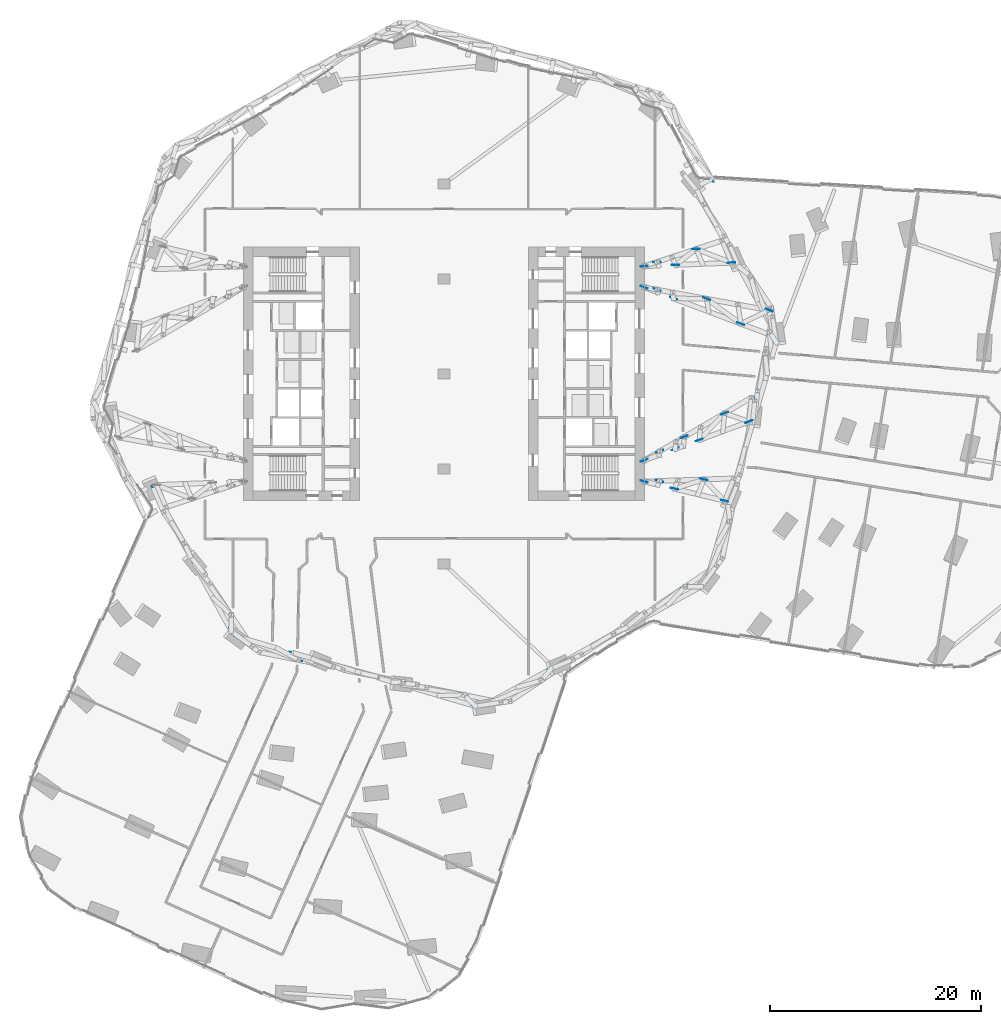
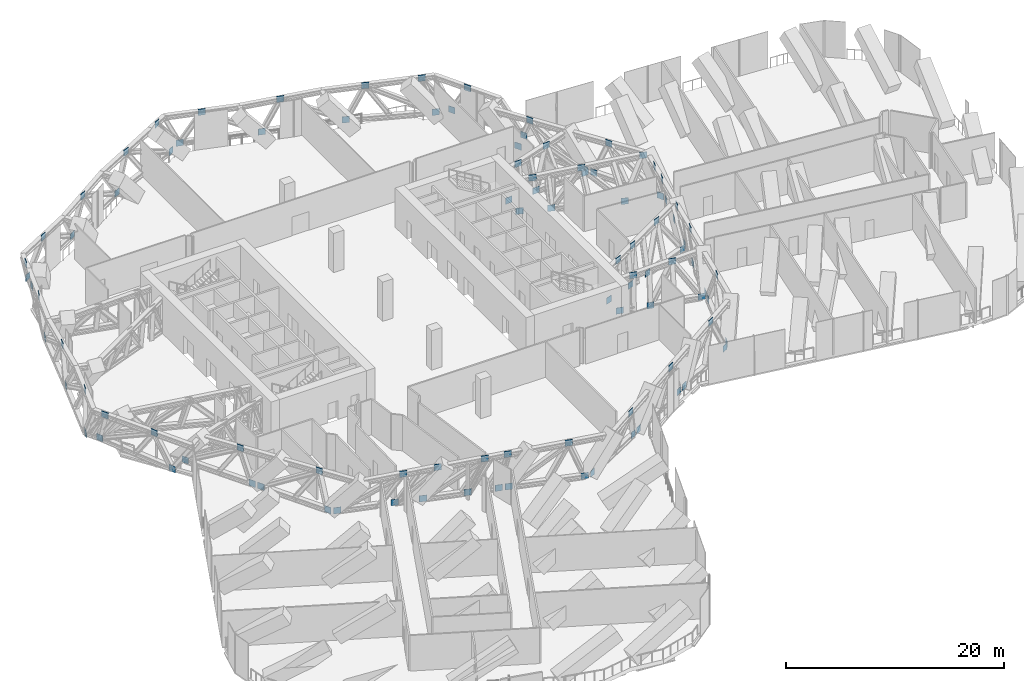
# One storey, part 34 of 39: 2 discrete accessories.
"""IFC4 building model written with IfcOpenShell, lengths in metres."""

from ifc_helpers import new_model, si_unit, direction, frame, origin, origin_2d, place, context, subcontext, project, spatial, rectangle, extrude, material, layer, layer_set, type_object, element, save


model = new_model("IFC4")

# Units and contexts
model_context = context("Model", 3, precision=1e-05, world=origin(), true_north=direction((0.0, 1.0)))
body_context = subcontext(model_context, "Body", "Model", "MODEL_VIEW")
ifc_project = project(units=[si_unit("LENGTHUNIT", "METRE"), si_unit("AREAUNIT", "SQUARE_METRE"), si_unit("VOLUMEUNIT", "CUBIC_METRE"), si_unit("PLANEANGLEUNIT", "RADIAN"), si_unit("MASSUNIT", "GRAM", prefix="KILO")], contexts=[model_context])

# Site, building, storey
site_placement = place(None, origin())
site = spatial("IfcSite", under=ifc_project, at=site_placement, CompositionType="ELEMENT")
building_placement = place(site_placement, origin())
building = spatial("IfcBuilding", under=site, at=building_placement, Name="Orlundy Tower", CompositionType="ELEMENT")
storey_placement = place(building_placement, frame((0.0, 0.0, 141.199951171875)))
storey = spatial("IfcBuildingStorey", under=building, at=storey_placement, Name="L36", CompositionType="ELEMENT", Elevation=141.199951171875)

# Discrete accessories
ifc_material = material(Name="Steel ASTM A572 Gr 50", Category="steel")
ifc_layer = layer(ifc_material, 0.0400390625)
ifc_layer_set = layer_set([ifc_layer], Name="CONNECTION PLATES")
discrete_accessory_type = type_object("IfcDiscreteAccessoryType", Name="CONNECTION PLATES", PredefinedType="ANCHORPLATE", material=ifc_layer_set)
discrete_accessory_1_placement = place(storey_placement, frame((0.0, 0.0, -141.199951171875)))
element("IfcDiscreteAccessory", 1, at=discrete_accessory_1_placement, inside=storey, type_object=discrete_accessory_type, Name="Connection plates BELT-L36", PredefinedType="ANCHORPLATE", context=body_context, shape_type="SweptSolid", body=[
    extrude(rectangle(XDim=0.699951171875, YDim=0.0400390625, at=origin_2d()), frame((-32.524658203125, -3.9189453125, 141.134765625), z_axis=(0.0, 0.0, 1.0), x_axis=(0.397051781418, -0.917796209882, 0.0)), (0.0, 0.0, 1.0), 0.699951171875),
    extrude(rectangle(XDim=0.699951171875, YDim=0.0400390625, at=origin_2d()), frame((-30.234619140625, -10.002197265625, 144.5654296875), z_axis=(0.0, 0.0, 1.0), x_axis=(0.397051781418, -0.917796209882, 0.0)), (0.0, 0.0, 1.0), 0.699951171875),
    extrude(rectangle(XDim=0.699951171875, YDim=0.0400390625, at=origin_2d()), frame((-29.218994140625, -11.5595703125, 141.134765625), z_axis=(0.0, 0.0, 1.0), x_axis=(0.397051781418, -0.917796209882, 0.0)), (0.0, 0.0, 1.0), 0.699951171875),
    extrude(rectangle(XDim=0.699951171875, YDim=0.0400390625, at=origin_2d()), frame((-27.501953125, -10.968994140625, 141.134765625), z_axis=(0.0, 0.0, 1.0), x_axis=(0.480208188281, -0.877154545053, 0.0)), (0.0, 0.0, 1.0), 0.699951171875),
    extrude(rectangle(XDim=0.699951171875, YDim=0.0400390625, at=origin_2d()), frame((-24.60791015625, -16.053466796875, 144.5654296875), z_axis=(0.0, 0.0, 1.0), x_axis=(0.480208188281, -0.877154545053, 0.0)), (0.0, 0.0, 1.0), 0.699951171875),
    extrude(rectangle(XDim=0.699951171875, YDim=0.0400390625, at=origin_2d()), frame((-24.058349609375, -17.259033203125, 141.134765625), z_axis=(0.0, 0.0, 1.0), x_axis=(0.480208188281, -0.877154545053, 0.0)), (0.0, 0.0, 1.0), 0.699951171875),
    extrude(rectangle(XDim=0.699951171875, YDim=0.0400390625, at=origin_2d()), frame((-23.6044921875, -18.087890625, 141.134765625), z_axis=(0.0, 0.0, 1.0), x_axis=(0.480208188281, -0.877154545053, 0.0)), (0.0, 0.0, 1.0), 0.699951171875),
    extrude(rectangle(XDim=0.699951171875, YDim=0.0400390625, at=origin_2d()), frame((-20.1748046875, -22.848388671875, 144.5654296875), z_axis=(0.0, 0.0, 1.0), x_axis=(0.480208188281, -0.877154545053, 0.0)), (0.0, 0.0, 1.0), 0.699951171875),
    extrude(rectangle(XDim=0.699951171875, YDim=0.0400390625, at=origin_2d()), frame((-20.160888671875, -24.378173828125, 141.134765625), z_axis=(0.0, 0.0, 1.0), x_axis=(0.480208188281, -0.877154545053, 0.0)), (0.0, 0.0, 1.0), 0.699951171875),
    extrude(rectangle(XDim=0.699951171875, YDim=0.0400390625, at=origin_2d()), frame((-19.48046875, -24.92529296875, 141.134765625), z_axis=(0.0, 0.0, 1.0), x_axis=(0.95978079553, -0.280750466665, 0.0)), (0.0, 0.0, 1.0), 0.699951171875),
    extrude(rectangle(XDim=0.699951171875, YDim=0.0400390625, at=origin_2d()), frame((-13.74951171875, -27.12890625, 144.5654296875), z_axis=(0.0, 0.0, 1.0), x_axis=(0.95978079553, -0.280750466665, 0.0)), (0.0, 0.0, 1.0), 0.699951171875),
    extrude(rectangle(XDim=0.699951171875, YDim=0.0400390625, at=origin_2d()), frame((-14.27001953125, -26.449462890625, 141.134765625), z_axis=(0.0, 0.0, 1.0), x_axis=(0.95978079553, -0.280750466665, 0.0)), (0.0, 0.0, 1.0), 0.699951171875),
    extrude(rectangle(XDim=0.699951171875, YDim=0.0400390625, at=origin_2d()), frame((-10.471923828125, -27.78369140625, 144.5654296875), z_axis=(0.0, 0.0, 1.0), x_axis=(0.95978079553, -0.280750466665, 0.0)), (0.0, 0.0, 1.0), 0.699951171875),
    extrude(rectangle(XDim=0.699951171875, YDim=0.0400390625, at=origin_2d()), frame((-11.69091796875, -27.20361328125, 141.134765625), z_axis=(0.0, 0.0, 1.0), x_axis=(0.959819986334, -0.280616453249, 0.0)), (0.0, 0.0, 1.0), 0.699951171875),
    extrude(rectangle(XDim=0.699951171875, YDim=0.0400390625, at=origin_2d()), frame((-6.048828125, -28.75146484375, 144.5654296875), z_axis=(0.0, 0.0, 1.0), x_axis=(0.959819986334, -0.280616453249, 0.0)), (0.0, 0.0, 1.0), 0.699951171875),
    extrude(rectangle(XDim=0.699951171875, YDim=0.0400390625, at=origin_2d()), frame((-7.647216796875, -28.385986328125, 141.134765625), z_axis=(0.0, 0.0, 1.0), x_axis=(0.959819986334, -0.280616453249, 0.0)), (0.0, 0.0, 1.0), 0.699951171875),
    extrude(rectangle(XDim=0.699951171875, YDim=0.0400390625, at=origin_2d()), frame((-3.86474609375, -29.187744140625, 144.5654296875), z_axis=(0.0, 0.0, 1.0), x_axis=(0.959819986334, -0.280616453249, 0.0)), (0.0, 0.0, 1.0), 0.699951171875),
    extrude(rectangle(XDim=0.699951171875, YDim=0.0400390625, at=origin_2d()), frame((-4.8076171875, -29.216064453125, 141.134765625), z_axis=(0.0, 0.0, 1.0), x_axis=(0.959819986334, -0.280616453249, 0.0)), (0.0, 0.0, 1.0), 0.699951171875),
    extrude(rectangle(XDim=0.699951171875, YDim=0.0400390625, at=origin_2d()), frame((-3.900634765625, -29.4814453125, 141.134765625), z_axis=(0.0, 0.0, 1.0), x_axis=(0.95978079553, -0.280750466665, 0.0)), (0.0, 0.0, 1.0), 0.699951171875),
    extrude(rectangle(XDim=0.699951171875, YDim=0.0400390625, at=origin_2d()), frame((1.890380859375, -30.421630859375, 144.5654296875), z_axis=(0.0, 0.0, 1.0), x_axis=(0.95978079553, -0.280750466665, 0.0)), (0.0, 0.0, 1.0), 0.699951171875),
    extrude(rectangle(XDim=0.699951171875, YDim=0.0400390625, at=origin_2d()), frame((2.981689453125, -31.49462890625, 141.134765625), z_axis=(0.0, 0.0, 1.0), x_axis=(0.95978079553, -0.280750466665, 0.0)), (0.0, 0.0, 1.0), 0.699951171875),
    extrude(rectangle(XDim=0.699951171875, YDim=0.0400390625, at=origin_2d()), frame((3.849609375, -31.400390625, 141.134765625), z_axis=(0.0, 0.0, 1.0), x_axis=(0.877112635643, 0.480284732627, 0.0)), (0.0, 0.0, 1.0), 0.699951171875),
    extrude(rectangle(XDim=0.699951171875, YDim=0.0400390625, at=origin_2d()), frame((9.2578125, -29.040771484375, 144.5654296875), z_axis=(0.0, 0.0, 1.0), x_axis=(0.877112635643, 0.480284732627, 0.0)), (0.0, 0.0, 1.0), 0.699951171875),
    extrude(rectangle(XDim=0.699951171875, YDim=0.0400390625, at=origin_2d()), frame((10.139892578125, -27.955810546875, 141.134765625), z_axis=(0.0, 0.0, 1.0), x_axis=(0.877112635643, 0.480284732627, 0.0)), (0.0, 0.0, 1.0), 0.699951171875),
    extrude(rectangle(XDim=0.699951171875, YDim=0.0400390625, at=origin_2d()), frame((10.968994140625, -27.501953125, 141.134765625), z_axis=(0.0, 0.0, 1.0), x_axis=(0.877154545053, 0.480208188281, 0.0)), (0.0, 0.0, 1.0), 0.699951171875),
    extrude(rectangle(XDim=0.699951171875, YDim=0.0400390625, at=origin_2d()), frame((16.053466796875, -24.60791015625, 144.5654296875), z_axis=(0.0, 0.0, 1.0), x_axis=(0.877154545053, 0.480208188281, 0.0)), (0.0, 0.0, 1.0), 0.699951171875),
    extrude(rectangle(XDim=0.699951171875, YDim=0.0400390625, at=origin_2d()), frame((17.259033203125, -24.058349609375, 141.134765625), z_axis=(0.0, 0.0, 1.0), x_axis=(0.877154545053, 0.480208188281, 0.0)), (0.0, 0.0, 1.0), 0.699951171875),
    extrude(rectangle(XDim=0.699951171875, YDim=0.0400390625, at=origin_2d()), frame((18.087890625, -23.6044921875, 141.134765625), z_axis=(0.0, 0.0, 1.0), x_axis=(0.877154545053, 0.480208188281, 0.0)), (0.0, 0.0, 1.0), 0.699951171875),
    extrude(rectangle(XDim=0.699951171875, YDim=0.0400390625, at=origin_2d()), frame((22.848388671875, -20.1748046875, 144.5654296875), z_axis=(0.0, 0.0, 1.0), x_axis=(0.877154545053, 0.480208188281, 0.0)), (0.0, 0.0, 1.0), 0.699951171875),
    extrude(rectangle(XDim=0.699951171875, YDim=0.0400390625, at=origin_2d()), frame((24.378173828125, -20.160888671875, 141.134765625), z_axis=(0.0, 0.0, 1.0), x_axis=(0.877154545053, 0.480208188281, 0.0)), (0.0, 0.0, 1.0), 0.699951171875),
    extrude(rectangle(XDim=0.699951171875, YDim=0.0400390625, at=origin_2d()), frame((24.92529296875, -19.48046875, 141.134765625), z_axis=(0.0, 0.0, 1.0), x_axis=(0.280750466665, 0.95978079553, 0.0)), (0.0, 0.0, 1.0), 0.699951171875),
    extrude(rectangle(XDim=0.699951171875, YDim=0.0400390625, at=origin_2d()), frame((27.0810546875, -13.98828125, 144.5654296875), z_axis=(0.0, 0.0, 1.0), x_axis=(0.280750466665, 0.95978079553, 0.0)), (0.0, 0.0, 1.0), 0.699951171875),
    extrude(rectangle(XDim=0.699951171875, YDim=0.0400390625, at=origin_2d()), frame((26.9384765625, -12.597900390625, 141.134765625), z_axis=(0.0, 0.0, 1.0), x_axis=(0.280750466665, 0.95978079553, 0.0)), (0.0, 0.0, 1.0), 0.699951171875),
    extrude(rectangle(XDim=0.699951171875, YDim=0.0400390625, at=origin_2d()), frame((27.20361328125, -11.69091796875, 141.134765625), z_axis=(0.0, 0.0, 1.0), x_axis=(0.280616453249, 0.959819986334, 0.0)), (0.0, 0.0, 1.0), 0.699951171875),
    extrude(rectangle(XDim=0.699951171875, YDim=0.0400390625, at=origin_2d()), frame((28.70849609375, -6.26416015625, 144.5654296875), z_axis=(0.0, 0.0, 1.0), x_axis=(0.280616453249, 0.959819986334, 0.0)), (0.0, 0.0, 1.0), 0.699951171875),
    extrude(rectangle(XDim=0.699951171875, YDim=0.0400390625, at=origin_2d()), frame((28.597412109375, -6.924560546875, 141.134765625), z_axis=(0.0, 0.0, 1.0), x_axis=(0.280616453249, 0.959819986334, 0.0)), (0.0, 0.0, 1.0), 0.699951171875),
    extrude(rectangle(XDim=0.699951171875, YDim=0.0400390625, at=origin_2d()), frame((29.453857421875, -2.53271484375, 144.5654296875), z_axis=(0.0, 0.0, 1.0), x_axis=(0.280616453249, 0.959819986334, 0.0)), (0.0, 0.0, 1.0), 0.699951171875),
    extrude(rectangle(XDim=0.699951171875, YDim=0.0400390625, at=origin_2d()), frame((29.4814453125, -3.900634765625, 141.134765625), z_axis=(0.0, 0.0, 1.0), x_axis=(0.280750466665, 0.95978079553, 0.0)), (0.0, 0.0, 1.0), 0.699951171875),
    extrude(rectangle(XDim=0.699951171875, YDim=0.0400390625, at=origin_2d()), frame((30.421630859375, 1.890380859375, 144.5654296875), z_axis=(0.0, 0.0, 1.0), x_axis=(0.280750466665, 0.95978079553, 0.0)), (0.0, 0.0, 1.0), 0.699951171875),
    extrude(rectangle(XDim=0.699951171875, YDim=0.0400390625, at=origin_2d()), frame((30.636474609375, 0.0478515625, 141.134765625), z_axis=(0.0, 0.0, 1.0), x_axis=(0.280750466665, 0.95978079553, 0.0)), (0.0, 0.0, 1.0), 0.699951171875),
    extrude(rectangle(XDim=0.699951171875, YDim=0.0400390625, at=origin_2d()), frame((30.8388671875, 3.977783203125, 144.5654296875), z_axis=(0.0, 0.0, 1.0), x_axis=(0.280750466665, 0.95978079553, 0.0)), (0.0, 0.0, 1.0), 0.699951171875),
    extrude(rectangle(XDim=0.699951171875, YDim=0.0400390625, at=origin_2d()), frame((31.49462890625, 2.981689453125, 141.134765625), z_axis=(0.0, 0.0, 1.0), x_axis=(0.280750466665, 0.95978079553, 0.0)), (0.0, 0.0, 1.0), 0.699951171875),
    extrude(rectangle(XDim=0.699951171875, YDim=0.0400390625, at=origin_2d()), frame((31.400390625, 3.849609375, 141.134765625), z_axis=(0.0, 0.0, 1.0), x_axis=(-0.480284732627, 0.877112635643, 0.0)), (0.0, 0.0, 1.0), 0.699951171875),
    extrude(rectangle(XDim=0.699951171875, YDim=0.0400390625, at=origin_2d()), frame((29.040771484375, 9.2578125, 144.5654296875), z_axis=(0.0, 0.0, 1.0), x_axis=(-0.480284732627, 0.877112635643, 0.0)), (0.0, 0.0, 1.0), 0.699951171875),
    extrude(rectangle(XDim=0.699951171875, YDim=0.0400390625, at=origin_2d()), frame((27.955810546875, 10.139892578125, 141.134765625), z_axis=(0.0, 0.0, 1.0), x_axis=(-0.480284732627, 0.877112635643, 0.0)), (0.0, 0.0, 1.0), 0.699951171875),
    extrude(rectangle(XDim=0.699951171875, YDim=0.0400390625, at=origin_2d()), frame((27.501953125, 10.968994140625, 141.134765625), z_axis=(0.0, 0.0, 1.0), x_axis=(-0.480208188281, 0.877154545053, 0.0)), (0.0, 0.0, 1.0), 0.699951171875),
    extrude(rectangle(XDim=0.699951171875, YDim=0.0400390625, at=origin_2d()), frame((24.60791015625, 16.053466796875, 144.5654296875), z_axis=(0.0, 0.0, 1.0), x_axis=(-0.480208188281, 0.877154545053, 0.0)), (0.0, 0.0, 1.0), 0.699951171875),
    extrude(rectangle(XDim=0.699951171875, YDim=0.0400390625, at=origin_2d()), frame((24.058349609375, 17.259033203125, 141.134765625), z_axis=(0.0, 0.0, 1.0), x_axis=(-0.480208188281, 0.877154545053, 0.0)), (0.0, 0.0, 1.0), 0.699951171875),
    extrude(rectangle(XDim=0.699951171875, YDim=0.0400390625, at=origin_2d()), frame((25.36962890625, 18.5029296875, 141.134765625), z_axis=(0.0, 0.0, 1.0), x_axis=(-0.474641335667, 0.880179301323, 0.0)), (0.0, 0.0, 1.0), 0.699951171875),
    extrude(rectangle(XDim=0.699951171875, YDim=0.0400390625, at=origin_2d()), frame((22.244384765625, 23.40576171875, 144.5654296875), z_axis=(0.0, 0.0, 1.0), x_axis=(-0.474641335667, 0.880179301323, 0.0)), (0.0, 0.0, 1.0), 0.699951171875),
    extrude(rectangle(XDim=0.699951171875, YDim=0.0400390625, at=origin_2d()), frame((21.6875, 25.33154296875, 141.134765625), z_axis=(0.0, 0.0, 1.0), x_axis=(-0.474641335667, 0.880179301323, 0.0)), (0.0, 0.0, 1.0), 0.699951171875),
    extrude(rectangle(XDim=0.699951171875, YDim=0.0400390625, at=origin_2d()), frame((19.40478515625, 26.876708984375, 144.5654296875), z_axis=(0.0, 0.0, 1.0), x_axis=(-0.957972825159, 0.286858965796, 0.0)), (0.0, 0.0, 1.0), 0.699951171875),
    extrude(rectangle(XDim=0.699951171875, YDim=0.0400390625, at=origin_2d()), frame((20.226318359375, 25.76904296875, 141.134765625), z_axis=(0.0, 0.0, 1.0), x_axis=(-0.957972825159, 0.286858965796, 0.0)), (0.0, 0.0, 1.0), 0.699951171875),
    extrude(rectangle(XDim=0.699951171875, YDim=0.0400390625, at=origin_2d()), frame((14.305908203125, 28.451171875, 144.5654296875), z_axis=(0.0, 0.0, 1.0), x_axis=(-0.929699365671, 0.368319276541, 0.0)), (0.0, 0.0, 1.0), 0.699951171875),
    extrude(rectangle(XDim=0.699951171875, YDim=0.0400390625, at=origin_2d()), frame((12.4873046875, 28.8349609375, 141.134765625), z_axis=(0.0, 0.0, 1.0), x_axis=(-0.929699365671, 0.368319276541, 0.0)), (0.0, 0.0, 1.0), 0.699951171875),
    extrude(rectangle(XDim=0.699951171875, YDim=0.0400390625, at=origin_2d()), frame((6.470703125, 30.470703125, 144.5654296875), z_axis=(0.0, 0.0, 1.0), x_axis=(-0.961271316911, 0.275603801286, 0.0)), (0.0, 0.0, 1.0), 0.699951171875),
    extrude(rectangle(XDim=0.699951171875, YDim=0.0400390625, at=origin_2d()), frame((4.85546875, 31.023193359375, 141.134765625), z_axis=(0.0, 0.0, 1.0), x_axis=(-0.961271316911, 0.275603801286, 0.0)), (0.0, 0.0, 1.0), 0.699951171875),
    extrude(rectangle(XDim=0.699951171875, YDim=0.0400390625, at=origin_2d()), frame((-0.82080078125, 32.279296875, 144.5654296875), z_axis=(0.0, 0.0, 1.0), x_axis=(-0.957972825159, 0.286858965796, 0.0)), (0.0, 0.0, 1.0), 0.699951171875),
    extrude(rectangle(XDim=0.699951171875, YDim=0.0400390625, at=origin_2d()), frame((-2.575927734375, 33.248291015625, 141.134765625), z_axis=(0.0, 0.0, 1.0), x_axis=(-0.957972825159, 0.286858965796, 0.0)), (0.0, 0.0, 1.0), 0.699951171875),
    extrude(rectangle(XDim=0.699951171875, YDim=0.0400390625, at=origin_2d()), frame((-5.28271484375, 32.72607421875, 144.5654296875), z_axis=(0.0, 0.0, 1.0), x_axis=(-0.880278690666, -0.474456980936, 0.0)), (0.0, 0.0, 1.0), 0.699951171875),
    extrude(rectangle(XDim=0.699951171875, YDim=0.0400390625, at=origin_2d()), frame((-3.9189453125, 32.524658203125, 141.134765625), z_axis=(0.0, 0.0, 1.0), x_axis=(-0.880278690666, -0.474456980936, 0.0)), (0.0, 0.0, 1.0), 0.699951171875),
    extrude(rectangle(XDim=0.699951171875, YDim=0.0400390625, at=origin_2d()), frame((-10.002197265625, 30.234375, 144.5654296875), z_axis=(0.0, 0.0, 1.0), x_axis=(-0.917789279881, -0.397067799923, 0.0)), (0.0, 0.0, 1.0), 0.699951171875),
    extrude(rectangle(XDim=0.699951171875, YDim=0.0400390625, at=origin_2d()), frame((-11.5595703125, 29.218994140625, 141.134765625), z_axis=(0.0, 0.0, 1.0), x_axis=(-0.917789279881, -0.397067799923, 0.0)), (0.0, 0.0, 1.0), 0.699951171875),
    extrude(rectangle(XDim=0.699951171875, YDim=0.0400390625, at=origin_2d()), frame((-16.970703125, 26.1220703125, 144.5654296875), z_axis=(0.0, 0.0, 1.0), x_axis=(-0.874594321368, -0.484855414563, 0.0)), (0.0, 0.0, 1.0), 0.699951171875),
    extrude(rectangle(XDim=0.699951171875, YDim=0.0400390625, at=origin_2d()), frame((-18.5029296875, 25.36962890625, 141.134765625), z_axis=(0.0, 0.0, 1.0), x_axis=(-0.874594321368, -0.484855414563, 0.0)), (0.0, 0.0, 1.0), 0.699951171875),
    extrude(rectangle(XDim=0.699951171875, YDim=0.0400390625, at=origin_2d()), frame((-23.40576171875, 22.244384765625, 144.5654296875), z_axis=(0.0, 0.0, 1.0), x_axis=(-0.880179301323, -0.474641335667, 0.0)), (0.0, 0.0, 1.0), 0.699951171875),
    extrude(rectangle(XDim=0.699951171875, YDim=0.0400390625, at=origin_2d()), frame((-25.33154296875, 21.6875, 141.134765625), z_axis=(0.0, 0.0, 1.0), x_axis=(-0.880179301323, -0.474641335667, 0.0)), (0.0, 0.0, 1.0), 0.699951171875),
    extrude(rectangle(XDim=0.699951171875, YDim=0.0400390625, at=origin_2d()), frame((-26.876708984375, 19.40478515625, 144.5654296875), z_axis=(0.0, 0.0, 1.0), x_axis=(-0.286858965796, -0.957972825159, 0.0)), (0.0, 0.0, 1.0), 0.699951171875),
    extrude(rectangle(XDim=0.699951171875, YDim=0.0400390625, at=origin_2d()), frame((-25.76904296875, 20.226318359375, 141.134765625), z_axis=(0.0, 0.0, 1.0), x_axis=(-0.286858965796, -0.957972825159, 0.0)), (0.0, 0.0, 1.0), 0.699951171875),
    extrude(rectangle(XDim=0.699951171875, YDim=0.0400390625, at=origin_2d()), frame((-28.451171875, 14.305908203125, 144.5654296875), z_axis=(0.0, 0.0, 1.0), x_axis=(-0.368319276541, -0.929699365671, 0.0)), (0.0, 0.0, 1.0), 0.699951171875),
    extrude(rectangle(XDim=0.699951171875, YDim=0.0400390625, at=origin_2d()), frame((-28.8349609375, 12.4873046875, 141.134765625), z_axis=(0.0, 0.0, 1.0), x_axis=(-0.368319276541, -0.929699365671, 0.0)), (0.0, 0.0, 1.0), 0.699951171875),
    extrude(rectangle(XDim=0.699951171875, YDim=0.0400390625, at=origin_2d()), frame((-30.470703125, 6.470703125, 144.5654296875), z_axis=(0.0, 0.0, 1.0), x_axis=(-0.275603801286, -0.961271316911, 0.0)), (0.0, 0.0, 1.0), 0.699951171875),
    extrude(rectangle(XDim=0.699951171875, YDim=0.0400390625, at=origin_2d()), frame((-31.023193359375, 4.85546875, 141.134765625), z_axis=(0.0, 0.0, 1.0), x_axis=(-0.275603801286, -0.961271316911, 0.0)), (0.0, 0.0, 1.0), 0.699951171875),
    extrude(rectangle(XDim=0.699951171875, YDim=0.0400390625, at=origin_2d()), frame((-32.279296875, -0.82080078125, 144.5654296875), z_axis=(0.0, 0.0, 1.0), x_axis=(-0.286858965796, -0.957972825159, 0.0)), (0.0, 0.0, 1.0), 0.699951171875),
    extrude(rectangle(XDim=0.699951171875, YDim=0.0400390625, at=origin_2d()), frame((-33.248291015625, -2.575927734375, 141.134765625), z_axis=(0.0, 0.0, 1.0), x_axis=(-0.286858965796, -0.957972825159, 0.0)), (0.0, 0.0, 1.0), 0.699951171875),
    extrude(rectangle(XDim=0.699951171875, YDim=0.0400390625, at=origin_2d()), frame((-32.72607421875, -5.28271484375, 144.5654296875), z_axis=(0.0, 0.0, 1.0), x_axis=(0.474456980936, -0.880278690666, 0.0)), (0.0, 0.0, 1.0), 0.699951171875),
])
discrete_accessory_2_placement = place(storey_placement, frame((0.0, 0.0, -141.199951171875)))
element("IfcDiscreteAccessory", 2, at=discrete_accessory_2_placement, inside=storey, type_object=discrete_accessory_type, Name="Connection plates OUTRIG-L36-E", PredefinedType="ANCHORPLATE", context=body_context, shape_type="SweptSolid", body=[
    extrude(rectangle(XDim=0.699951171875, YDim=0.0400390625, at=origin_2d()), frame((18.97998046875, -10.199951171875, 141.134765625), z_axis=(0.0, 0.0, 1.0), x_axis=(0.972316928296, -0.233665981582, 0.0)), (0.0, 0.0, 1.0), 0.699951171875),
    extrude(rectangle(XDim=0.699951171875, YDim=0.0400390625, at=origin_2d()), frame((20.42919921875, -10.150146484375, 144.5654296875), z_axis=(0.0, 0.0, 1.0), x_axis=(0.972316928296, -0.233665981582, 0.0)), (0.0, 0.0, 1.0), 0.699951171875),
    extrude(rectangle(XDim=0.699951171875, YDim=0.0400390625, at=origin_2d()), frame((21.840576171875, -10.887451171875, 141.134765625), z_axis=(0.0, 0.0, 1.0), x_axis=(0.972316928296, -0.233665981582, 0.0)), (0.0, 0.0, 1.0), 0.699951171875),
    extrude(rectangle(XDim=0.699951171875, YDim=0.0400390625, at=origin_2d()), frame((24.63134765625, -10.00537109375, 144.5654296875), z_axis=(0.0, 0.0, 1.0), x_axis=(0.972316928296, -0.233665981582, 0.0)), (0.0, 0.0, 1.0), 0.699951171875),
    extrude(rectangle(XDim=0.699951171875, YDim=0.0400390625, at=origin_2d()), frame((26.61181640625, -12.0341796875, 141.134765625), z_axis=(0.0, 0.0, 1.0), x_axis=(0.972316928296, -0.233665981582, 0.0)), (0.0, 0.0, 1.0), 0.699951171875),
    extrude(rectangle(XDim=0.699951171875, YDim=0.0400390625, at=origin_2d()), frame((18.97998046875, -8.199951171875, 141.134765625), z_axis=(0.0, 0.0, 1.0), x_axis=(0.937585819058, 0.347753981862, 0.0)), (0.0, 0.0, 1.0), 0.699951171875),
    extrude(rectangle(XDim=0.699951171875, YDim=0.0400390625, at=origin_2d()), frame((20.443115234375, -7.342529296875, 144.5654296875), z_axis=(0.0, 0.0, 1.0), x_axis=(0.937585819058, 0.347753981862, 0.0)), (0.0, 0.0, 1.0), 0.699951171875),
    extrude(rectangle(XDim=0.699951171875, YDim=0.0400390625, at=origin_2d()), frame((21.908935546875, -7.113525390625, 141.134765625), z_axis=(0.0, 0.0, 1.0), x_axis=(0.937585819058, 0.347753981862, 0.0)), (0.0, 0.0, 1.0), 0.699951171875),
    extrude(rectangle(XDim=0.699951171875, YDim=0.0400390625, at=origin_2d()), frame((22.77880859375, -5.9736328125, 144.5654296875), z_axis=(0.0, 0.0, 1.0), x_axis=(0.937585819058, 0.347753981862, 0.0)), (0.0, 0.0, 1.0), 0.699951171875),
    extrude(rectangle(XDim=0.699951171875, YDim=0.0400390625, at=origin_2d()), frame((24.190185546875, -6.267578125, 141.134765625), z_axis=(0.0, 0.0, 1.0), x_axis=(0.937585819058, 0.347753981862, 0.0)), (0.0, 0.0, 1.0), 0.699951171875),
    extrude(rectangle(XDim=0.699951171875, YDim=0.0400390625, at=origin_2d()), frame((26.6025390625, -3.732666015625, 144.5654296875), z_axis=(0.0, 0.0, 1.0), x_axis=(0.937585819058, 0.347753981862, 0.0)), (0.0, 0.0, 1.0), 0.699951171875),
    extrude(rectangle(XDim=0.699951171875, YDim=0.0400390625, at=origin_2d()), frame((28.90576171875, -4.5185546875, 141.134765625), z_axis=(0.0, 0.0, 1.0), x_axis=(0.937585819058, 0.347753981862, 0.0)), (0.0, 0.0, 1.0), 0.699951171875),
    extrude(rectangle(XDim=0.699951171875, YDim=0.0400390625, at=origin_2d()), frame((18.97998046875, 8.199951171875, 141.134765625), z_axis=(0.0, 0.0, 1.0), x_axis=(0.935795217958, -0.352544054052, 0.0)), (0.0, 0.0, 1.0), 0.699951171875),
    extrude(rectangle(XDim=0.699951171875, YDim=0.0400390625, at=origin_2d()), frame((20.2177734375, 7.97265625, 144.5654296875), z_axis=(0.0, 0.0, 1.0), x_axis=(0.935795217958, -0.352544054052, 0.0)), (0.0, 0.0, 1.0), 0.699951171875),
    extrude(rectangle(XDim=0.699951171875, YDim=0.0400390625, at=origin_2d()), frame((21.753662109375, 7.155029296875, 141.134765625), z_axis=(0.0, 0.0, 1.0), x_axis=(0.935795217958, -0.352544054052, 0.0)), (0.0, 0.0, 1.0), 0.699951171875),
    extrude(rectangle(XDim=0.699951171875, YDim=0.0400390625, at=origin_2d()), frame((24.8974609375, 7.11328125, 144.5654296875), z_axis=(0.0, 0.0, 1.0), x_axis=(0.935795217958, -0.352544054052, 0.0)), (0.0, 0.0, 1.0), 0.699951171875),
    extrude(rectangle(XDim=0.699951171875, YDim=0.0400390625, at=origin_2d()), frame((28.1337890625, 4.75146484375, 141.134765625), z_axis=(0.0, 0.0, 1.0), x_axis=(0.935795217958, -0.352544054052, 0.0)), (0.0, 0.0, 1.0), 0.699951171875),
    extrude(rectangle(XDim=0.699951171875, YDim=0.0400390625, at=origin_2d()), frame((30.814697265625, 6.026611328125, 144.5654296875), z_axis=(0.0, 0.0, 1.0), x_axis=(0.935795217958, -0.352544054052, 0.0)), (0.0, 0.0, 1.0), 0.699951171875),
    extrude(rectangle(XDim=0.699951171875, YDim=0.0400390625, at=origin_2d()), frame((18.97998046875, 10.199951171875, 141.134765625), z_axis=(0.0, 0.0, 1.0), x_axis=(0.999180325602, 0.040480574722, 0.0)), (0.0, 0.0, 1.0), 0.699951171875),
    extrude(rectangle(XDim=0.699951171875, YDim=0.0400390625, at=origin_2d()), frame((20.19482421875, 10.6015625, 144.5654296875), z_axis=(0.0, 0.0, 1.0), x_axis=(0.999180325602, 0.040480574722, 0.0)), (0.0, 0.0, 1.0), 0.699951171875),
    extrude(rectangle(XDim=0.699951171875, YDim=0.0400390625, at=origin_2d()), frame((21.942626953125, 10.320068359375, 141.134765625), z_axis=(0.0, 0.0, 1.0), x_axis=(0.999180325602, 0.040480574722, 0.0)), (0.0, 0.0, 1.0), 0.699951171875),
    extrude(rectangle(XDim=0.699951171875, YDim=0.0400390625, at=origin_2d()), frame((23.89501953125, 11.82421875, 144.5654296875), z_axis=(0.0, 0.0, 1.0), x_axis=(0.999180325602, 0.040480574722, 0.0)), (0.0, 0.0, 1.0), 0.699951171875),
    extrude(rectangle(XDim=0.699951171875, YDim=0.0400390625, at=origin_2d()), frame((27.2568359375, 10.535400390625, 141.134765625), z_axis=(0.0, 0.0, 1.0), x_axis=(0.999180325602, 0.040480574722, 0.0)), (0.0, 0.0, 1.0), 0.699951171875),
])

save(model, "model.ifc")
